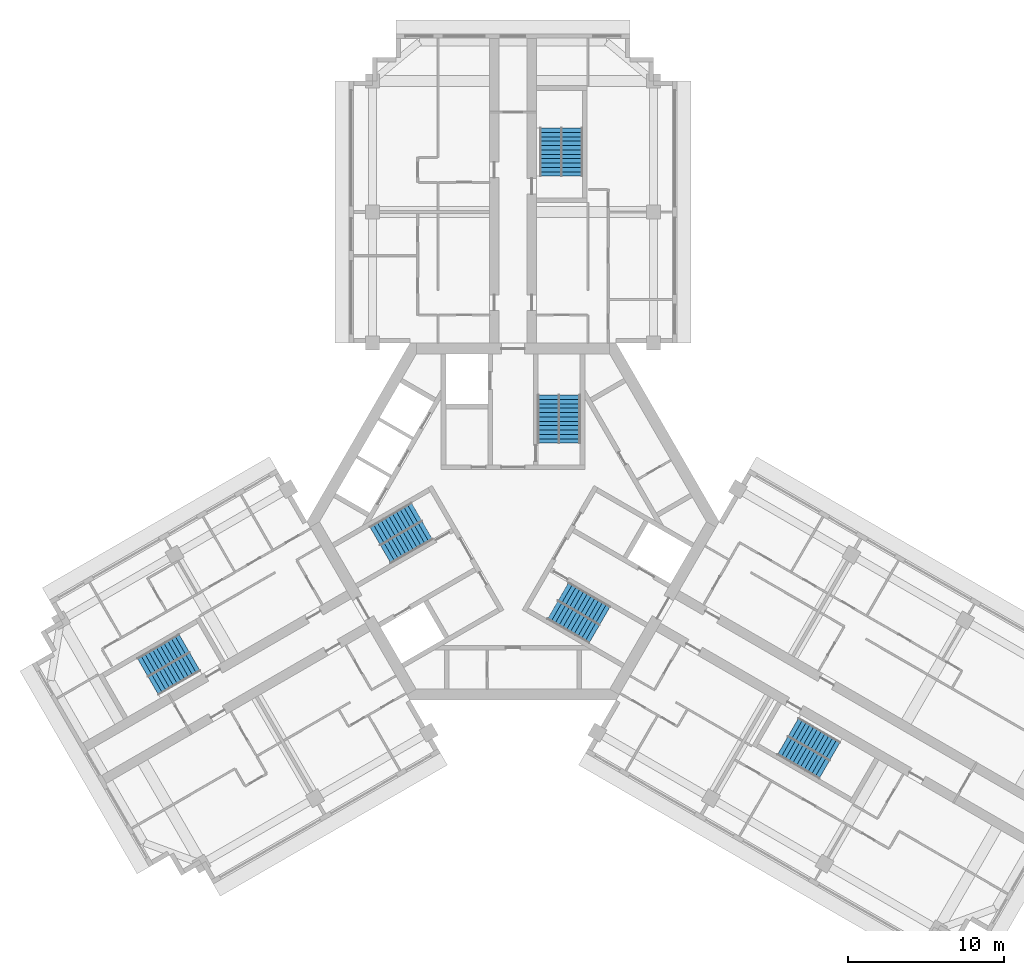
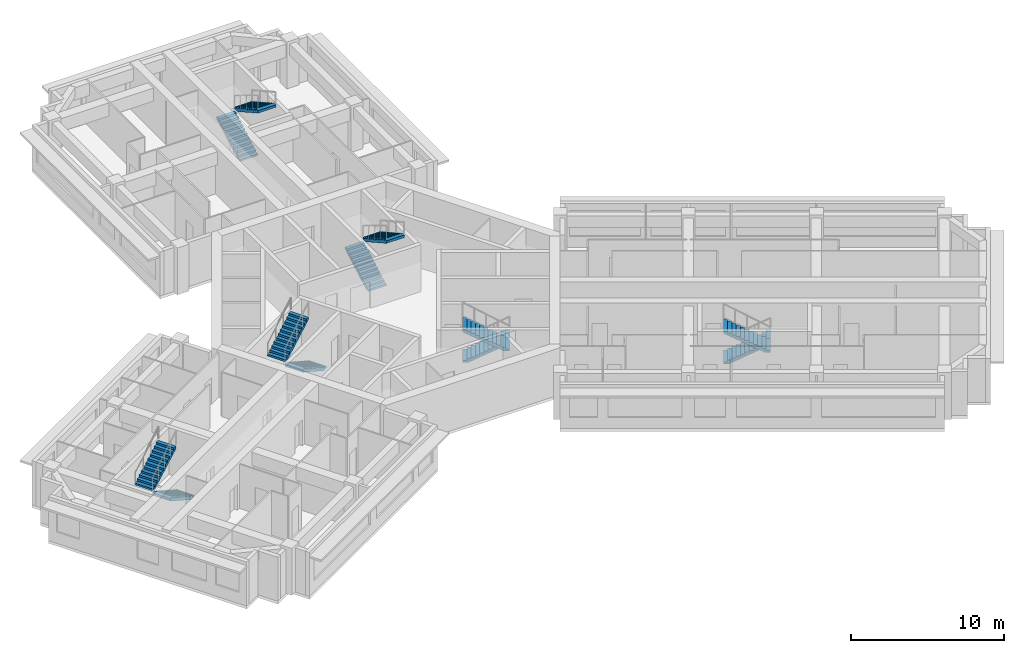
# One storey, part 9 of 10: 12 stair flights, 6 elements without a shape of their own.
"""IFC4 building model written with IfcOpenShell, lengths in metres."""

from ifc_helpers import new_model, si_unit, direction, frame, origin, place, context, subcontext, project, spatial, polyline, outline, extrude, material, type_object, element, aggregate, save


model = new_model("IFC4")

# Units and contexts
model_context = context("Model", 3, precision=1e-05, world=origin(), true_north=direction((0.0, 1.0)))
body_context = subcontext(model_context, "Body", "Model", "MODEL_VIEW")
ifc_project = project(units=[si_unit("LENGTHUNIT", "METRE"), si_unit("AREAUNIT", "SQUARE_METRE"), si_unit("VOLUMEUNIT", "CUBIC_METRE"), si_unit("PLANEANGLEUNIT", "RADIAN"), si_unit("MASSUNIT", "GRAM", prefix="KILO")], contexts=[model_context])

# Site, building, storey
site_placement = place(None, origin())
site = spatial("IfcSite", under=ifc_project, at=site_placement, CompositionType="ELEMENT")
building_placement = place(site_placement, origin())
building = spatial("IfcBuilding", under=site, at=building_placement, Name="Impinga Residences", CompositionType="ELEMENT")
storey_placement = place(building_placement, frame((0.0, 0.0, 226.0)))
storey = spatial("IfcBuildingStorey", under=building, at=storey_placement, Name="L56", CompositionType="ELEMENT", Elevation=226.0)

# Stair, stair flights
ifc_material = material(Name="Concrete C40/50", Category="concrete")
stair_type_1 = type_object("IfcStairType", Name="STR core stair 3750 storey, 24 risers", PredefinedType="HALF_TURN_STAIR", material=ifc_material)
stair_1_placement = place(storey_placement, origin())
stair_1 = element("IfcStair", 1, at=stair_1_placement, inside=storey, type_object=stair_type_1, Name="Stair ST1 L56", PredefinedType="HALF_TURN_STAIR")
stair_flight_type = type_object("IfcStairFlightType", Name="SF 12 risers of 156", PredefinedType="STRAIGHT", material=ifc_material)
stair_flight_1_placement = place(storey_placement, frame((2.27490234375, 5.030029296875, 0.0), z_axis=(0.0, 0.0, 1.0), x_axis=(0.0, 1.0, 0.0)))
stair_flight_1 = element("IfcStairFlight", 2, at=stair_flight_1_placement, type_object=stair_flight_type, Name="ST1 flight 1", NumberOfRisers=12, NumberOfTreads=11, PredefinedType="STRAIGHT", RiserHeight=0.15625, TreadLength=0.28, context=body_context, shape_type="SweptSolid", body=[
    extrude(outline(polyline([(0.0, 0.0), (0.0, 0.15625), (0.280029296875, 0.15625), (0.280029296875, 0.3125), (0.56005859375, 0.3125), (0.56005859375, 0.46875), (0.840087890625, 0.46875), (0.840087890625, 0.625), (1.1201171875, 0.625), (1.1201171875, 0.78125), (1.39990234375, 0.78125), (1.39990234375, 0.9375), (1.679931640625, 0.9375), (1.679931640625, 1.09375), (1.9599609375, 1.09375), (1.9599609375, 1.25), (2.239990234375, 1.25), (2.239990234375, 1.40625), (2.52001953125, 1.40625), (2.52001953125, 1.5625), (2.800048828125, 1.5625), (2.800048828125, 1.71875), (3.080078125, 1.71875), (3.080078125, 1.875), (3.080078125, 1.5126953125), (0.369140625, 0.0), (0.0, 0.0)])), frame((0.0, 0.675048828125, 0.0), z_axis=(0.0, -1.0, 0.0), x_axis=(1.0, 0.0, 0.0)), (0.0, 0.0, 1.0), 1.35009765625),
])
stair_flight_2_placement = place(storey_placement, frame((3.625, 8.110107421875, 1.875), z_axis=(0.0, 0.0, 1.0), x_axis=(0.0, -1.0, 0.0)))
stair_flight_2 = element("IfcStairFlight", 3, at=stair_flight_2_placement, type_object=stair_flight_type, Name="ST1 flight 2", NumberOfRisers=12, NumberOfTreads=11, PredefinedType="STRAIGHT", RiserHeight=0.15625, TreadLength=0.28, context=body_context, shape_type="SweptSolid", body=[
    extrude(outline(polyline([(0.0, 0.0), (0.0, 0.15625), (0.280029296875, 0.15625), (0.280029296875, 0.3125), (0.56005859375, 0.3125), (0.56005859375, 0.46875), (0.840087890625, 0.46875), (0.840087890625, 0.625), (1.1201171875, 0.625), (1.1201171875, 0.78125), (1.39990234375, 0.78125), (1.39990234375, 0.9375), (1.679931640625, 0.9375), (1.679931640625, 1.09375), (1.9599609375, 1.09375), (1.9599609375, 1.25), (2.239990234375, 1.25), (2.239990234375, 1.40625), (2.52001953125, 1.40625), (2.52001953125, 1.5625), (2.800048828125, 1.5625), (2.800048828125, 1.71875), (3.080078125, 1.71875), (3.080078125, 1.875), (3.080078125, 1.5126953125), (0.369140625, 0.0), (0.0, 0.0)])), frame((0.0, 0.675048828125, 0.0), z_axis=(0.0, -1.0, 0.0), x_axis=(1.0, 0.0, 0.0)), (0.0, 0.0, 1.0), 1.35009765625),
])
aggregate(stair_1, [stair_flight_1, stair_flight_2])

stair_2_placement = place(storey_placement, origin())
stair_2 = element("IfcStair", 4, at=stair_2_placement, inside=storey, type_object=stair_type_1, Name="Stair ST2 L56", PredefinedType="HALF_TURN_STAIR")
stair_flight_3_placement = place(storey_placement, frame((-5.49365234375, -0.544677734375, 0.0), z_axis=(0.0, 0.0, 1.0), x_axis=(-0.866025403784, -0.5, 0.0)))
stair_flight_3 = element("IfcStairFlight", 5, at=stair_flight_3_placement, type_object=stair_flight_type, Name="ST2 flight 1", NumberOfRisers=12, NumberOfTreads=11, PredefinedType="STRAIGHT", RiserHeight=0.15625, TreadLength=0.28, context=body_context, shape_type="SweptSolid", body=[
    extrude(outline(polyline([(0.0, 0.0), (0.0, 0.15625), (0.280029296875, 0.15625), (0.280029296875, 0.3125), (0.56005859375, 0.3125), (0.56005859375, 0.46875), (0.840087890625, 0.46875), (0.840087890625, 0.625), (1.1201171875, 0.625), (1.1201171875, 0.78125), (1.39990234375, 0.78125), (1.39990234375, 0.9375), (1.679931640625, 0.9375), (1.679931640625, 1.09375), (1.9599609375, 1.09375), (1.9599609375, 1.25), (2.239990234375, 1.25), (2.239990234375, 1.40625), (2.52001953125, 1.40625), (2.52001953125, 1.5625), (2.800048828125, 1.5625), (2.800048828125, 1.71875), (3.080078125, 1.71875), (3.080078125, 1.875), (3.080078125, 1.5126953125), (0.369140625, 0.0), (0.0, 0.0)])), frame((0.0, 0.675048828125, 0.0), z_axis=(0.0, -1.0, 0.0), x_axis=(1.0, 0.0, 0.0)), (0.0, 0.0, 1.0), 1.35009765625),
])
stair_flight_4_placement = place(storey_placement, frame((-8.8359375, -0.915771484375, 1.875), z_axis=(0.0, 0.0, 1.0), x_axis=(0.866025403784, 0.5, 0.0)))
stair_flight_4 = element("IfcStairFlight", 6, at=stair_flight_4_placement, type_object=stair_flight_type, Name="ST2 flight 2", NumberOfRisers=12, NumberOfTreads=11, PredefinedType="STRAIGHT", RiserHeight=0.15625, TreadLength=0.28, context=body_context, shape_type="SweptSolid", body=[
    extrude(outline(polyline([(0.0, 0.0), (0.0, 0.15625), (0.280029296875, 0.15625), (0.280029296875, 0.3125), (0.56005859375, 0.3125), (0.56005859375, 0.46875), (0.840087890625, 0.46875), (0.840087890625, 0.625), (1.1201171875, 0.625), (1.1201171875, 0.78125), (1.39990234375, 0.78125), (1.39990234375, 0.9375), (1.679931640625, 0.9375), (1.679931640625, 1.09375), (1.9599609375, 1.09375), (1.9599609375, 1.25), (2.239990234375, 1.25), (2.239990234375, 1.40625), (2.52001953125, 1.40625), (2.52001953125, 1.5625), (2.800048828125, 1.5625), (2.800048828125, 1.71875), (3.080078125, 1.71875), (3.080078125, 1.875), (3.080078125, 1.5126953125), (0.369140625, 0.0), (0.0, 0.0)])), frame((0.0, 0.675048828125, 0.0), z_axis=(0.0, -1.0, 0.0), x_axis=(1.0, 0.0, 0.0)), (0.0, 0.0, 1.0), 1.35009765625),
])
aggregate(stair_2, [stair_flight_3, stair_flight_4])

stair_3_placement = place(storey_placement, origin())
stair_3 = element("IfcStair", 7, at=stair_3_placement, inside=storey, type_object=stair_type_1, Name="Stair ST3 L56", PredefinedType="HALF_TURN_STAIR")
stair_flight_5_placement = place(storey_placement, frame((3.218505859375, -4.485107421875, 0.0), z_axis=(0.0, 0.0, 1.0), x_axis=(0.866025403784, -0.5, 0.0)))
stair_flight_5 = element("IfcStairFlight", 8, at=stair_flight_5_placement, type_object=stair_flight_type, Name="ST3 flight 1", NumberOfRisers=12, NumberOfTreads=11, PredefinedType="STRAIGHT", RiserHeight=0.15625, TreadLength=0.28, context=body_context, shape_type="SweptSolid", body=[
    extrude(outline(polyline([(0.0, 0.0), (0.0, 0.15625), (0.280029296875, 0.15625), (0.280029296875, 0.3125), (0.56005859375, 0.3125), (0.56005859375, 0.46875), (0.840087890625, 0.46875), (0.840087890625, 0.625), (1.1201171875, 0.625), (1.1201171875, 0.78125), (1.39990234375, 0.78125), (1.39990234375, 0.9375), (1.679931640625, 0.9375), (1.679931640625, 1.09375), (1.9599609375, 1.09375), (1.9599609375, 1.25), (2.239990234375, 1.25), (2.239990234375, 1.40625), (2.52001953125, 1.40625), (2.52001953125, 1.5625), (2.800048828125, 1.5625), (2.800048828125, 1.71875), (3.080078125, 1.71875), (3.080078125, 1.875), (3.080078125, 1.5126953125), (0.369140625, 0.0), (0.0, 0.0)])), frame((0.0, 0.675048828125, 0.0), z_axis=(0.0, -1.0, 0.0), x_axis=(1.0, 0.0, 0.0)), (0.0, 0.0, 1.0), 1.35009765625),
])
stair_flight_6_placement = place(storey_placement, frame((5.2109375, -7.1943359375, 1.875), z_axis=(0.0, 0.0, 1.0), x_axis=(-0.866025403784, 0.5, 0.0)))
stair_flight_6 = element("IfcStairFlight", 9, at=stair_flight_6_placement, type_object=stair_flight_type, Name="ST3 flight 2", NumberOfRisers=12, NumberOfTreads=11, PredefinedType="STRAIGHT", RiserHeight=0.15625, TreadLength=0.28, context=body_context, shape_type="SweptSolid", body=[
    extrude(outline(polyline([(0.0, 0.0), (0.0, 0.15625), (0.280029296875, 0.15625), (0.280029296875, 0.3125), (0.56005859375, 0.3125), (0.56005859375, 0.46875), (0.840087890625, 0.46875), (0.840087890625, 0.625), (1.1201171875, 0.625), (1.1201171875, 0.78125), (1.39990234375, 0.78125), (1.39990234375, 0.9375), (1.679931640625, 0.9375), (1.679931640625, 1.09375), (1.9599609375, 1.09375), (1.9599609375, 1.25), (2.239990234375, 1.25), (2.239990234375, 1.40625), (2.52001953125, 1.40625), (2.52001953125, 1.5625), (2.800048828125, 1.5625), (2.800048828125, 1.71875), (3.080078125, 1.71875), (3.080078125, 1.875), (3.080078125, 1.5126953125), (0.369140625, 0.0), (0.0, 0.0)])), frame((0.0, 0.675048828125, 0.0), z_axis=(0.0, -1.0, 0.0), x_axis=(1.0, 0.0, 0.0)), (0.0, 0.0, 1.0), 1.35009765625),
])
aggregate(stair_3, [stair_flight_5, stair_flight_6])

stair_type_2 = type_object("IfcStairType", Name="STR wing stair 3750 storey, 24 risers", PredefinedType="HALF_TURN_STAIR", material=ifc_material)
stair_4_placement = place(storey_placement, origin())
stair_4 = element("IfcStair", 10, at=stair_4_placement, inside=storey, type_object=stair_type_2, Name="Stair WS1 L56", PredefinedType="HALF_TURN_STAIR")
stair_flight_7_placement = place(storey_placement, frame((2.425048828125, 22.131591796875, 0.0), z_axis=(0.0, 0.0, 1.0), x_axis=(0.0, 1.0, 0.0)))
stair_flight_7 = element("IfcStairFlight", 11, at=stair_flight_7_placement, type_object=stair_flight_type, Name="WS1 flight 1", NumberOfRisers=12, NumberOfTreads=11, PredefinedType="STRAIGHT", RiserHeight=0.15625, TreadLength=0.28, context=body_context, shape_type="SweptSolid", body=[
    extrude(outline(polyline([(0.0, 0.0), (0.0, 0.15625), (0.280029296875, 0.15625), (0.280029296875, 0.3125), (0.56005859375, 0.3125), (0.56005859375, 0.46875), (0.840087890625, 0.46875), (0.840087890625, 0.625), (1.1201171875, 0.625), (1.1201171875, 0.78125), (1.39990234375, 0.78125), (1.39990234375, 0.9375), (1.679931640625, 0.9375), (1.679931640625, 1.09375), (1.9599609375, 1.09375), (1.9599609375, 1.25), (2.239990234375, 1.25), (2.239990234375, 1.40625), (2.52001953125, 1.40625), (2.52001953125, 1.5625), (2.800048828125, 1.5625), (2.800048828125, 1.71875), (3.080078125, 1.71875), (3.080078125, 1.875), (3.080078125, 1.5126953125), (0.369140625, 0.0), (0.0, 0.0)])), frame((0.0, 0.675048828125, 0.0), z_axis=(0.0, -1.0, 0.0), x_axis=(1.0, 0.0, 0.0)), (0.0, 0.0, 1.0), 1.35009765625),
])
stair_flight_8_placement = place(storey_placement, frame((3.77490234375, 25.21142578125, 1.875), z_axis=(0.0, 0.0, 1.0), x_axis=(0.0, -1.0, 0.0)))
stair_flight_8 = element("IfcStairFlight", 12, at=stair_flight_8_placement, type_object=stair_flight_type, Name="WS1 flight 2", NumberOfRisers=12, NumberOfTreads=11, PredefinedType="STRAIGHT", RiserHeight=0.15625, TreadLength=0.28, context=body_context, shape_type="SweptSolid", body=[
    extrude(outline(polyline([(0.0, 0.0), (0.0, 0.15625), (0.280029296875, 0.15625), (0.280029296875, 0.3125), (0.56005859375, 0.3125), (0.56005859375, 0.46875), (0.840087890625, 0.46875), (0.840087890625, 0.625), (1.1201171875, 0.625), (1.1201171875, 0.78125), (1.39990234375, 0.78125), (1.39990234375, 0.9375), (1.679931640625, 0.9375), (1.679931640625, 1.09375), (1.9599609375, 1.09375), (1.9599609375, 1.25), (2.239990234375, 1.25), (2.239990234375, 1.40625), (2.52001953125, 1.40625), (2.52001953125, 1.5625), (2.800048828125, 1.5625), (2.800048828125, 1.71875), (3.080078125, 1.71875), (3.080078125, 1.875), (3.080078125, 1.5126953125), (0.369140625, 0.0), (0.0, 0.0)])), frame((0.0, 0.675048828125, 0.0), z_axis=(0.0, -1.0, 0.0), x_axis=(1.0, 0.0, 0.0)), (0.0, 0.0, 1.0), 1.35009765625),
])
aggregate(stair_4, [stair_flight_7, stair_flight_8])

stair_5_placement = place(storey_placement, origin())
stair_5 = element("IfcStair", 13, at=stair_5_placement, inside=storey, type_object=stair_type_2, Name="Stair WS2 L56", PredefinedType="HALF_TURN_STAIR")
stair_flight_9_placement = place(storey_placement, frame((-20.37890625, -8.965576171875, 0.0), z_axis=(0.0, 0.0, 1.0), x_axis=(-0.866025403784, -0.5, 0.0)))
stair_flight_9 = element("IfcStairFlight", 14, at=stair_flight_9_placement, type_object=stair_flight_type, Name="WS2 flight 1", NumberOfRisers=12, NumberOfTreads=11, PredefinedType="STRAIGHT", RiserHeight=0.15625, TreadLength=0.28, context=body_context, shape_type="SweptSolid", body=[
    extrude(outline(polyline([(0.0, 0.0), (0.0, 0.15625), (0.280029296875, 0.15625), (0.280029296875, 0.3125), (0.56005859375, 0.3125), (0.56005859375, 0.46875), (0.840087890625, 0.46875), (0.840087890625, 0.625), (1.1201171875, 0.625), (1.1201171875, 0.78125), (1.39990234375, 0.78125), (1.39990234375, 0.9375), (1.679931640625, 0.9375), (1.679931640625, 1.09375), (1.9599609375, 1.09375), (1.9599609375, 1.25), (2.239990234375, 1.25), (2.239990234375, 1.40625), (2.52001953125, 1.40625), (2.52001953125, 1.5625), (2.800048828125, 1.5625), (2.800048828125, 1.71875), (3.080078125, 1.71875), (3.080078125, 1.875), (3.080078125, 1.5126953125), (0.369140625, 0.0), (0.0, 0.0)])), frame((0.0, 0.675048828125, 0.0), z_axis=(0.0, -1.0, 0.0), x_axis=(1.0, 0.0, 0.0)), (0.0, 0.0, 1.0), 1.35009765625),
])
stair_flight_10_placement = place(storey_placement, frame((-23.721435546875, -9.33642578125, 1.875), z_axis=(0.0, 0.0, 1.0), x_axis=(0.866025403784, 0.5, 0.0)))
stair_flight_10 = element("IfcStairFlight", 15, at=stair_flight_10_placement, type_object=stair_flight_type, Name="WS2 flight 2", NumberOfRisers=12, NumberOfTreads=11, PredefinedType="STRAIGHT", RiserHeight=0.15625, TreadLength=0.28, context=body_context, shape_type="SweptSolid", body=[
    extrude(outline(polyline([(0.0, 0.0), (0.0, 0.15625), (0.280029296875, 0.15625), (0.280029296875, 0.3125), (0.56005859375, 0.3125), (0.56005859375, 0.46875), (0.840087890625, 0.46875), (0.840087890625, 0.625), (1.1201171875, 0.625), (1.1201171875, 0.78125), (1.39990234375, 0.78125), (1.39990234375, 0.9375), (1.679931640625, 0.9375), (1.679931640625, 1.09375), (1.9599609375, 1.09375), (1.9599609375, 1.25), (2.239990234375, 1.25), (2.239990234375, 1.40625), (2.52001953125, 1.40625), (2.52001953125, 1.5625), (2.800048828125, 1.5625), (2.800048828125, 1.71875), (3.080078125, 1.71875), (3.080078125, 1.875), (3.080078125, 1.5126953125), (0.369140625, 0.0), (0.0, 0.0)])), frame((0.0, 0.675048828125, 0.0), z_axis=(0.0, -1.0, 0.0), x_axis=(1.0, 0.0, 0.0)), (0.0, 0.0, 1.0), 1.35009765625),
])
aggregate(stair_5, [stair_flight_9, stair_flight_10])

stair_6_placement = place(storey_placement, origin())
stair_6 = element("IfcStair", 16, at=stair_6_placement, inside=storey, type_object=stair_type_2, Name="Stair WS3 L56", PredefinedType="HALF_TURN_STAIR")
stair_flight_11_placement = place(storey_placement, frame((17.953857421875, -13.165771484375, 0.0), z_axis=(0.0, 0.0, 1.0), x_axis=(0.866025403784, -0.5, 0.0)))
stair_flight_11 = element("IfcStairFlight", 17, at=stair_flight_11_placement, type_object=stair_flight_type, Name="WS3 flight 1", NumberOfRisers=12, NumberOfTreads=11, PredefinedType="STRAIGHT", RiserHeight=0.15625, TreadLength=0.28, context=body_context, shape_type="SweptSolid", body=[
    extrude(outline(polyline([(0.0, 0.0), (0.0, 0.15625), (0.280029296875, 0.15625), (0.280029296875, 0.3125), (0.56005859375, 0.3125), (0.56005859375, 0.46875), (0.840087890625, 0.46875), (0.840087890625, 0.625), (1.1201171875, 0.625), (1.1201171875, 0.78125), (1.39990234375, 0.78125), (1.39990234375, 0.9375), (1.679931640625, 0.9375), (1.679931640625, 1.09375), (1.9599609375, 1.09375), (1.9599609375, 1.25), (2.239990234375, 1.25), (2.239990234375, 1.40625), (2.52001953125, 1.40625), (2.52001953125, 1.5625), (2.800048828125, 1.5625), (2.800048828125, 1.71875), (3.080078125, 1.71875), (3.080078125, 1.875), (3.080078125, 1.5126953125), (0.369140625, 0.0), (0.0, 0.0)])), frame((0.0, 0.675048828125, 0.0), z_axis=(0.0, -1.0, 0.0), x_axis=(1.0, 0.0, 0.0)), (0.0, 0.0, 1.0), 1.35009765625),
])
stair_flight_12_placement = place(storey_placement, frame((19.9462890625, -15.875, 1.875), z_axis=(0.0, 0.0, 1.0), x_axis=(-0.866025403784, 0.5, 0.0)))
stair_flight_12 = element("IfcStairFlight", 18, at=stair_flight_12_placement, type_object=stair_flight_type, Name="WS3 flight 2", NumberOfRisers=12, NumberOfTreads=11, PredefinedType="STRAIGHT", RiserHeight=0.15625, TreadLength=0.28, context=body_context, shape_type="SweptSolid", body=[
    extrude(outline(polyline([(0.0, 0.0), (0.0, 0.15625), (0.280029296875, 0.15625), (0.280029296875, 0.3125), (0.56005859375, 0.3125), (0.56005859375, 0.46875), (0.840087890625, 0.46875), (0.840087890625, 0.625), (1.1201171875, 0.625), (1.1201171875, 0.78125), (1.39990234375, 0.78125), (1.39990234375, 0.9375), (1.679931640625, 0.9375), (1.679931640625, 1.09375), (1.9599609375, 1.09375), (1.9599609375, 1.25), (2.239990234375, 1.25), (2.239990234375, 1.40625), (2.52001953125, 1.40625), (2.52001953125, 1.5625), (2.800048828125, 1.5625), (2.800048828125, 1.71875), (3.080078125, 1.71875), (3.080078125, 1.875), (3.080078125, 1.5126953125), (0.369140625, 0.0), (0.0, 0.0)])), frame((0.0, 0.675048828125, 0.0), z_axis=(0.0, -1.0, 0.0), x_axis=(1.0, 0.0, 0.0)), (0.0, 0.0, 1.0), 1.35009765625),
])
aggregate(stair_6, [stair_flight_11, stair_flight_12])

save(model, "model.ifc")
